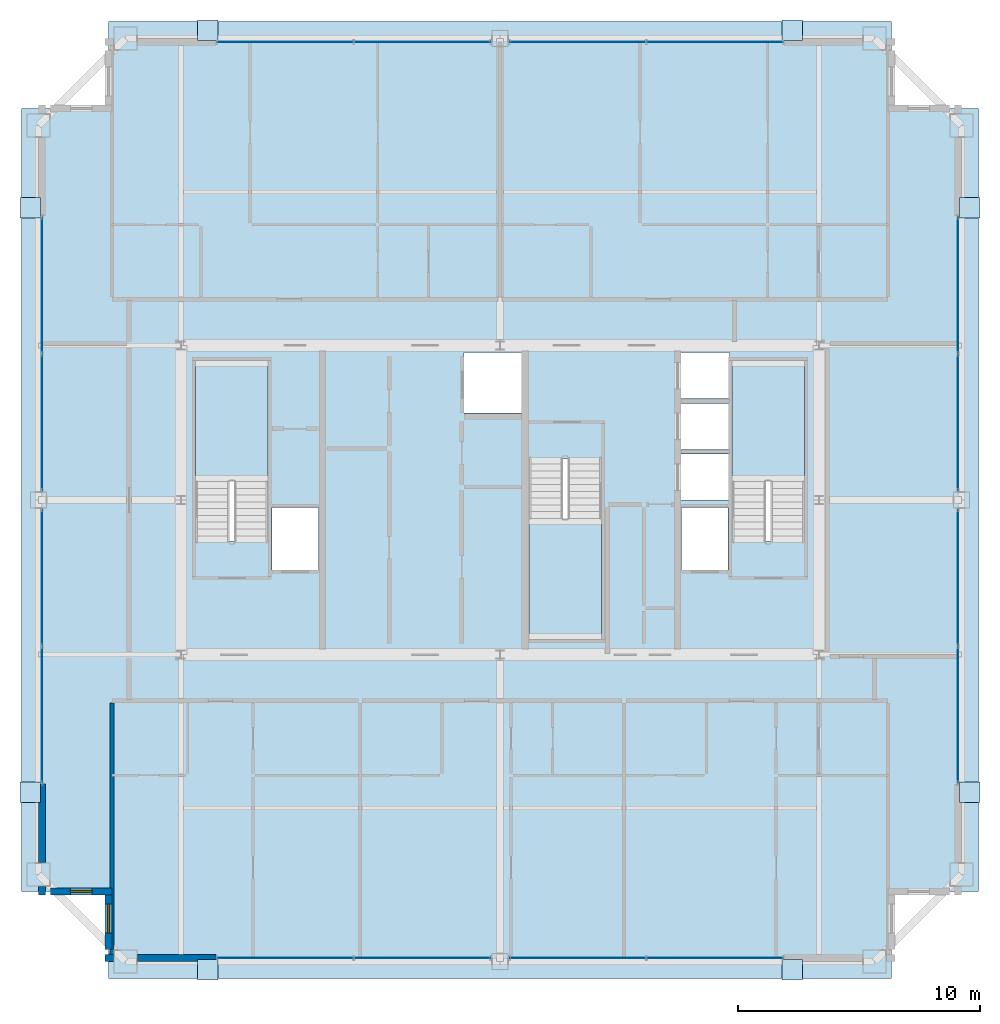
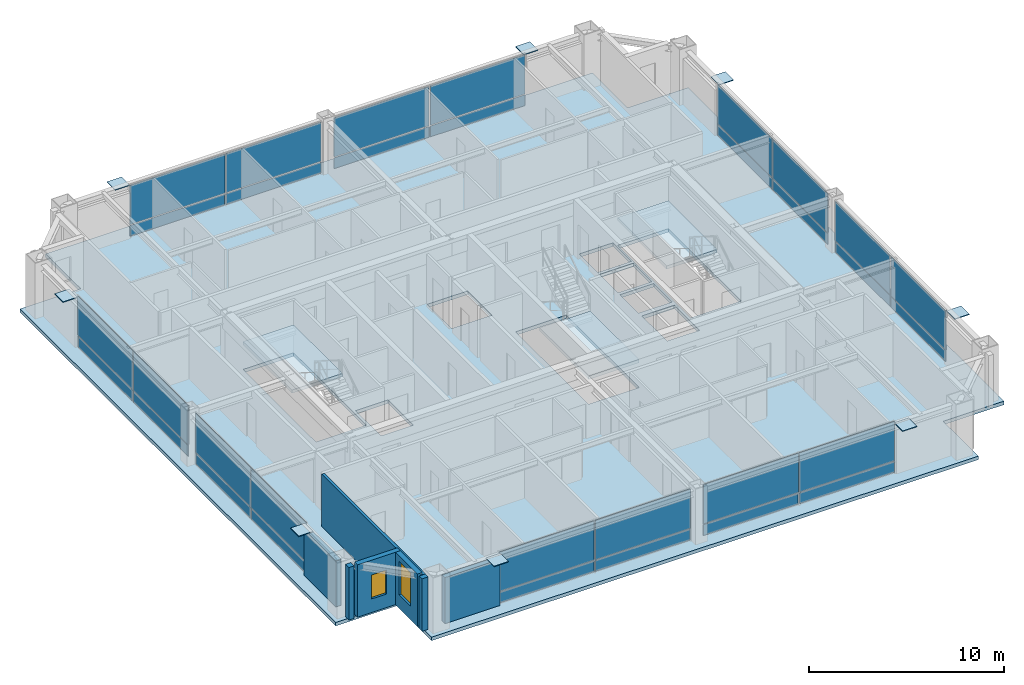
# One storey, part 29 of 35: 40 plates, 7 walls, 4 slabs, 2 windows, 2 openings, 11 elements without a shape of their own.
"""IFC4 building model written with IfcOpenShell, lengths in metres."""

from ifc_helpers import new_model, si_unit, direction, frame, frame_2d, origin, origin_2d, place, context, subcontext, project, spatial, polyline, rectangle, outline, extrude, source, transform, mapped, material, layer, layer_set, type_object, element, fill, aggregate, save


model = new_model("IFC4")

# Units and contexts
model_context = context("Model", 3, precision=1e-05, world=origin(), true_north=direction((0.0, 1.0)))
body_context = subcontext(model_context, "Body", "Model", "MODEL_VIEW")
ifc_project = project(units=[si_unit("LENGTHUNIT", "METRE"), si_unit("AREAUNIT", "SQUARE_METRE"), si_unit("VOLUMEUNIT", "CUBIC_METRE"), si_unit("PLANEANGLEUNIT", "RADIAN"), si_unit("MASSUNIT", "GRAM", prefix="KILO"), si_unit("THERMODYNAMICTEMPERATUREUNIT", "KELVIN"), si_unit("POWERUNIT", "WATT")], contexts=[model_context])

# Site, building, storey
site_placement = place(None, origin())
site = spatial("IfcSite", under=ifc_project, at=site_placement, CompositionType="ELEMENT")
building_placement = place(site_placement, origin())
building = spatial("IfcBuilding", under=site, at=building_placement, Name="Yuzanri Waterfront Tower", CompositionType="ELEMENT")
storey_placement = place(building_placement, frame((0.0, 0.0, 318.199951171875)))
storey = spatial("IfcBuildingStorey", under=building, at=storey_placement, Name="L85", CompositionType="ELEMENT", Elevation=318.199951171875)

# Stair, slab
ifc_material_1 = material(Name="Concrete C40", Category="concrete")
stair_type = type_object("IfcStairType", Name="Concrete C40 Core Dogleg Exit Stair", PredefinedType="HALF_TURN_STAIR", material=ifc_material_1)
stair_1_placement = place(storey_placement, origin())
stair_1 = element("IfcStair", 1, at=stair_1_placement, inside=storey, type_object=stair_type, Name="L85 Smoke-Proof Core Stair ST-01", PredefinedType="HALF_TURN_STAIR")
ifc_material_2 = material(Name="Concrete C40", Category="concrete")
ifc_layer_1 = layer(ifc_material_2, 0.179931640625)
ifc_layer_set_1 = layer_set([ifc_layer_1], Name="Concrete C40")
slab_type_1 = type_object("IfcSlabType", Name="Concrete C40 Stair Half-Landing Slab 180", PredefinedType="LANDING", material=ifc_layer_set_1)
slab_1_placement = place(storey_placement, frame((0.0, 0.0, 1.550048828125)))
slab_1 = element("IfcSlab", 2, at=slab_1_placement, type_object=slab_type_1, Name="ST-01 landing 1", PredefinedType="LANDING", context=body_context, shape_type="SweptSolid", body=[
    extrude(outline(polyline([(27.39990234375, 26.56005859375), (27.39990234375, 31.580078125), (24.39990234375, 31.580078125), (24.39990234375, 26.56005859375), (27.39990234375, 26.56005859375)])), origin(), (0.0, 0.0, 1.0), 0.199951171875),
])
aggregate(stair_1, [slab_1])

stair_2_placement = place(storey_placement, origin())
stair_2 = element("IfcStair", 3, at=stair_2_placement, inside=storey, type_object=stair_type, Name="L85 Smoke-Proof Core Stair ST-02", PredefinedType="HALF_TURN_STAIR")
slab_2_placement = place(storey_placement, frame((0.0, 0.0, 1.550048828125)))
slab_2 = element("IfcSlab", 4, at=slab_2_placement, type_object=slab_type_1, Name="ST-02 landing 1", PredefinedType="LANDING", context=body_context, shape_type="SweptSolid", body=[
    extrude(outline(polyline([(49.60009765625, 26.56005859375), (49.60009765625, 31.580078125), (46.60009765625, 31.580078125), (46.60009765625, 26.56005859375), (49.60009765625, 26.56005859375)])), origin(), (0.0, 0.0, 1.0), 0.199951171875),
])
aggregate(stair_2, [slab_2])

stair_3_placement = place(storey_placement, origin())
stair_3 = element("IfcStair", 5, at=stair_3_placement, inside=storey, type_object=stair_type, Name="L85 Smoke-Proof Core Stair ST-03", PredefinedType="HALF_TURN_STAIR")
slab_3_placement = place(storey_placement, frame((0.0, 0.0, 1.550048828125)))
slab_3 = element("IfcSlab", 6, at=slab_3_placement, type_object=slab_type_1, Name="ST-03 landing 1", PredefinedType="LANDING", context=body_context, shape_type="SweptSolid", body=[
    extrude(outline(polyline([(38.199951171875, 25.0400390625), (38.199951171875, 20.02001953125), (41.199951171875, 20.02001953125), (41.199951171875, 25.0400390625), (38.199951171875, 25.0400390625)])), origin(), (0.0, 0.0, 1.0), 0.199951171875),
])
aggregate(stair_3, [slab_3])

# Slab
ifc_material_3 = material(Name="Concrete C40", Category="concrete")
ifc_layer_2 = layer(ifc_material_3, 0.219970703125)
ifc_layer_set_2 = layer_set([ifc_layer_2], Name="Concrete C40")
slab_type_2 = type_object("IfcSlabType", Name="Concrete C40 Tower Typical Structural Floor Slab 220", PredefinedType="FLOOR", material=ifc_layer_set_2)
slab_4_placement = place(storey_placement, frame((0.0, 0.0, -0.219970703125)))
element("IfcSlab", 7, at=slab_4_placement, inside=storey, type_object=slab_type_2, Name="L85 Main Structural Floor Slab", PredefinedType="FLOOR", context=body_context, shape_type="SweptSolid", body=[
    extrude(outline(polyline([(20.800048828125, 6.0), (53.199951171875, 6.0), (53.199951171875, 9.60009765625), (56.800048828125, 9.60009765625), (56.800048828125, 42.0), (53.199951171875, 42.0), (53.199951171875, 45.60009765625), (20.800048828125, 45.60009765625), (20.800048828125, 42.0), (17.199951171875, 42.0), (17.199951171875, 9.60009765625), (20.800048828125, 9.60009765625), (20.800048828125, 6.0)]), holes=[polyline([(27.39990234375, 24.10009765625), (27.39990234375, 31.580078125), (24.39990234375, 31.580078125), (24.39990234375, 24.10009765625), (27.39990234375, 24.10009765625)]), polyline([(49.60009765625, 24.10009765625), (49.60009765625, 31.580078125), (46.60009765625, 31.580078125), (46.60009765625, 24.10009765625), (49.60009765625, 24.10009765625)]), polyline([(38.199951171875, 27.5), (38.199951171875, 20.02001953125), (41.199951171875, 20.02001953125), (41.199951171875, 27.5), (38.199951171875, 27.5)]), polyline([(27.56005859375, 22.89990234375), (29.47998046875, 22.89990234375), (29.47998046875, 25.5), (27.56005859375, 25.5), (27.56005859375, 22.89990234375)]), polyline([(44.52001953125, 22.89990234375), (46.43994140625, 22.89990234375), (46.43994140625, 25.5), (44.52001953125, 25.5), (44.52001953125, 22.89990234375)]), polyline([(35.5, 29.39990234375), (37.89990234375, 29.39990234375), (37.89990234375, 31.89990234375), (35.5, 31.89990234375), (35.5, 29.39990234375)]), polyline([(44.5, 25.800048828125), (46.5, 25.800048828125), (46.5, 27.699951171875), (44.5, 27.699951171875), (44.5, 25.800048828125)]), polyline([(44.5, 27.89990234375), (46.5, 27.89990234375), (46.5, 29.800048828125), (44.5, 29.800048828125), (44.5, 27.89990234375)]), polyline([(44.5, 30.0), (46.5, 30.0), (46.5, 31.89990234375), (44.5, 31.89990234375), (44.5, 30.0)])]), origin(), (0.0, 0.0, 1.0), 0.219970703125),
])

# Plates
ifc_material_4 = material(Name="Steel Q420GJC", Category="steel")
ifc_layer_3 = layer(ifc_material_4, 0.0400390625)
ifc_layer_set_3 = layer_set([ifc_layer_3], Name="Steel Q420GJC")
plate_type_1 = type_object("IfcPlateType", Name="Steel Q420GJC Mega-Brace Gusset and End-Cap Plate 40", PredefinedType="SHEET", material=ifc_layer_set_3)
shared_shape_1 = source(origin(), body_context, "Body", "SweptSolid", [
    extrude(rectangle(XDim=0.85009765625, YDim=0.85009765625, at=origin_2d()), origin(), (0.0, 0.0, 1.0), 0.0400390625),
])
for number, where, z_axis, x_axis, name in (
    (8, (24.89990234375, 6.360107421875, 3.159912109375), (0.0, 0.0, 1.0), (1.0, 0.0, 0.0), "L85 Mega-Brace Apex Cap Plate S-L"),
    (9, (49.10009765625, 6.360107421875, 3.159912109375), (0.0, 0.0, 1.0), (1.0, 0.0, 0.0), "L85 Mega-Brace Apex Cap Plate S-R"),
    (10, (24.89990234375, 45.239990234375, 3.159912109375), (0.0, 0.0, 1.0), (1.0, 0.0, 0.0), "L85 Mega-Brace Apex Cap Plate N-L"),
    (11, (49.10009765625, 45.239990234375, 3.159912109375), (0.0, 0.0, 1.0), (1.0, 0.0, 0.0), "L85 Mega-Brace Apex Cap Plate N-R"),
    (12, (17.56005859375, 13.699951171875, 3.159912109375), (0.0, 0.0, 1.0), (1.0, 0.0, 0.0), "L85 Mega-Brace Apex Cap Plate W-L"),
    (13, (17.56005859375, 37.89990234375, 3.159912109375), (0.0, 0.0, 1.0), (1.0, 0.0, 0.0), "L85 Mega-Brace Apex Cap Plate W-R"),
    (14, (56.43994140625, 13.699951171875, 3.159912109375), (0.0, 0.0, 1.0), (1.0, 0.0, 0.0), "L85 Mega-Brace Apex Cap Plate E-L"),
    (15, (56.43994140625, 37.89990234375, 3.159912109375), (0.0, 0.0, 1.0), (1.0, 0.0, 0.0), "L85 Mega-Brace Apex Cap Plate E-R"),
):
    element("IfcPlate", number, at=place(storey_placement, frame(where, z_axis=z_axis, x_axis=x_axis)), inside=storey, type_object=plate_type_1, Name=name, PredefinedType="SHEET", context=body_context, shape_type="MappedRepresentation", body=[
        mapped(shared_shape_1, transform((0.0, 0.0, 0.0), scale=1.0)),
    ])

# Curtain wall, plates
ifc_material_5 = material(Name="Anodized Architectural Bronze", Category="metal")
ifc_layer_4 = layer(ifc_material_5, 0.159912109375)
ifc_layer_set_4 = layer_set([ifc_layer_4], Name="Anodized Architectural Bronze")
curtain_wall_type = type_object("IfcCurtainWallType", Name="Anodized Bronze High-Rise Penthouse High-Wind Unitized Curtain Wall 6900", PredefinedType="NOTDEFINED", material=ifc_layer_set_4)
curtain_wall_1_placement = place(storey_placement, origin())
curtain_wall_1 = element("IfcCurtainWall", 16, at=curtain_wall_1_placement, inside=storey, type_object=curtain_wall_type, Name="L85 Curtain Wall CW-L85-SL", PredefinedType="NOTDEFINED")
ifc_material_6 = material(Name="Anodized Architectural Bronze", Category="metal")
ifc_layer_5 = layer(ifc_material_6, 0.028076171875)
ifc_layer_set_5 = layer_set([ifc_layer_5], Name="Anodized Architectural Bronze")
plate_type_2 = type_object("IfcPlateType", Name="Bronze Insulated Spandrel Shadow-Box Panel 28", PredefinedType="CURTAIN_PANEL", material=ifc_layer_set_5)
shared_shape_2 = source(origin(), body_context, "Body", "SweptSolid", [
    extrude(rectangle(XDim=5.6201171875, YDim=0.028076171875, at=origin_2d()), origin(), (0.0, 0.0, 1.0), 0.674072265625),
])
plate_1_placement = place(storey_placement, frame((28.10009765625, 6.85009765625, 0.0498046875), z_axis=(0.0, 0.0, 1.0), x_axis=(1.0, 0.0, 0.0)))
plate_1 = element("IfcPlate", 17, at=plate_1_placement, type_object=plate_type_2, Name="CW-L85-SL Spandrel Panel 01", PredefinedType="CURTAIN_PANEL", context=body_context, shape_type="MappedRepresentation", body=[
    mapped(shared_shape_2, transform((0.0, 0.0, 0.0), scale=1.0)),
])
plate_2_placement = place(storey_placement, frame((33.800048828125, 6.85009765625, 0.0498046875), z_axis=(0.0, 0.0, 1.0), x_axis=(1.0, 0.0, 0.0)))
plate_2 = element("IfcPlate", 18, at=plate_2_placement, type_object=plate_type_2, Name="CW-L85-SL Spandrel Panel 02", PredefinedType="CURTAIN_PANEL", context=body_context, shape_type="MappedRepresentation", body=[
    mapped(shared_shape_2, transform((0.0, 0.0, 0.0), scale=1.0)),
])

curtain_wall_2_placement = place(storey_placement, origin())
curtain_wall_2 = element("IfcCurtainWall", 19, at=curtain_wall_2_placement, inside=storey, type_object=curtain_wall_type, Name="L85 Curtain Wall CW-L85-SR", PredefinedType="NOTDEFINED")
plate_3_placement = place(storey_placement, frame((40.199951171875, 6.85009765625, 0.0498046875), z_axis=(0.0, 0.0, 1.0), x_axis=(1.0, 0.0, 0.0)))
plate_3 = element("IfcPlate", 20, at=plate_3_placement, type_object=plate_type_2, Name="CW-L85-SR Spandrel Panel 01", PredefinedType="CURTAIN_PANEL", context=body_context, shape_type="MappedRepresentation", body=[
    mapped(shared_shape_2, transform((0.0, 0.0, 0.0), scale=1.0)),
])
plate_4_placement = place(storey_placement, frame((45.89990234375, 6.85009765625, 0.0498046875), z_axis=(0.0, 0.0, 1.0), x_axis=(1.0, 0.0, 0.0)))
plate_4 = element("IfcPlate", 21, at=plate_4_placement, type_object=plate_type_2, Name="CW-L85-SR Spandrel Panel 02", PredefinedType="CURTAIN_PANEL", context=body_context, shape_type="MappedRepresentation", body=[
    mapped(shared_shape_2, transform((0.0, 0.0, 0.0), scale=1.0)),
])

curtain_wall_3_placement = place(storey_placement, origin())
curtain_wall_3 = element("IfcCurtainWall", 22, at=curtain_wall_3_placement, inside=storey, type_object=curtain_wall_type, Name="L85 Curtain Wall CW-L85-NL", PredefinedType="NOTDEFINED")
plate_5_placement = place(storey_placement, frame((28.10009765625, 44.75, 0.0498046875), z_axis=(0.0, 0.0, 1.0), x_axis=(1.0, 0.0, 0.0)))
plate_5 = element("IfcPlate", 23, at=plate_5_placement, type_object=plate_type_2, Name="CW-L85-NL Spandrel Panel 01", PredefinedType="CURTAIN_PANEL", context=body_context, shape_type="MappedRepresentation", body=[
    mapped(shared_shape_2, transform((0.0, 0.0, 0.0), scale=1.0)),
])
plate_6_placement = place(storey_placement, frame((33.800048828125, 44.75, 0.0498046875), z_axis=(0.0, 0.0, 1.0), x_axis=(1.0, 0.0, 0.0)))
plate_6 = element("IfcPlate", 24, at=plate_6_placement, type_object=plate_type_2, Name="CW-L85-NL Spandrel Panel 02", PredefinedType="CURTAIN_PANEL", context=body_context, shape_type="MappedRepresentation", body=[
    mapped(shared_shape_2, transform((0.0, 0.0, 0.0), scale=1.0)),
])

curtain_wall_4_placement = place(storey_placement, origin())
curtain_wall_4 = element("IfcCurtainWall", 25, at=curtain_wall_4_placement, inside=storey, type_object=curtain_wall_type, Name="L85 Curtain Wall CW-L85-NR", PredefinedType="NOTDEFINED")
plate_7_placement = place(storey_placement, frame((40.199951171875, 44.75, 0.0498046875), z_axis=(0.0, 0.0, 1.0), x_axis=(1.0, 0.0, 0.0)))
plate_7 = element("IfcPlate", 26, at=plate_7_placement, type_object=plate_type_2, Name="CW-L85-NR Spandrel Panel 01", PredefinedType="CURTAIN_PANEL", context=body_context, shape_type="MappedRepresentation", body=[
    mapped(shared_shape_2, transform((0.0, 0.0, 0.0), scale=1.0)),
])
plate_8_placement = place(storey_placement, frame((45.89990234375, 44.75, 0.0498046875), z_axis=(0.0, 0.0, 1.0), x_axis=(1.0, 0.0, 0.0)))
plate_8 = element("IfcPlate", 27, at=plate_8_placement, type_object=plate_type_2, Name="CW-L85-NR Spandrel Panel 02", PredefinedType="CURTAIN_PANEL", context=body_context, shape_type="MappedRepresentation", body=[
    mapped(shared_shape_2, transform((0.0, 0.0, 0.0), scale=1.0)),
])

curtain_wall_5_placement = place(storey_placement, origin())
curtain_wall_5 = element("IfcCurtainWall", 28, at=curtain_wall_5_placement, inside=storey, type_object=curtain_wall_type, Name="L85 Curtain Wall CW-L85-WL", PredefinedType="NOTDEFINED")
plate_9_placement = place(storey_placement, frame((18.050048828125, 16.89990234375, 0.0498046875), z_axis=(0.0, 0.0, 1.0), x_axis=(0.0, 1.0, 0.0)))
plate_9 = element("IfcPlate", 29, at=plate_9_placement, type_object=plate_type_2, Name="CW-L85-WL Spandrel Panel 01", PredefinedType="CURTAIN_PANEL", context=body_context, shape_type="MappedRepresentation", body=[
    mapped(shared_shape_2, transform((0.0, 0.0, 0.0), scale=1.0)),
])
plate_10_placement = place(storey_placement, frame((18.050048828125, 22.60009765625, 0.0498046875), z_axis=(0.0, 0.0, 1.0), x_axis=(0.0, 1.0, 0.0)))
plate_10 = element("IfcPlate", 30, at=plate_10_placement, type_object=plate_type_2, Name="CW-L85-WL Spandrel Panel 02", PredefinedType="CURTAIN_PANEL", context=body_context, shape_type="MappedRepresentation", body=[
    mapped(shared_shape_2, transform((0.0, 0.0, 0.0), scale=1.0)),
])

curtain_wall_6_placement = place(storey_placement, origin())
curtain_wall_6 = element("IfcCurtainWall", 31, at=curtain_wall_6_placement, inside=storey, type_object=curtain_wall_type, Name="L85 Curtain Wall CW-L85-WR", PredefinedType="NOTDEFINED")
plate_11_placement = place(storey_placement, frame((18.050048828125, 29.0, 0.0498046875), z_axis=(0.0, 0.0, 1.0), x_axis=(0.0, 1.0, 0.0)))
plate_11 = element("IfcPlate", 32, at=plate_11_placement, type_object=plate_type_2, Name="CW-L85-WR Spandrel Panel 01", PredefinedType="CURTAIN_PANEL", context=body_context, shape_type="MappedRepresentation", body=[
    mapped(shared_shape_2, transform((0.0, 0.0, 0.0), scale=1.0)),
])
plate_12_placement = place(storey_placement, frame((18.050048828125, 34.699951171875, 0.0498046875), z_axis=(0.0, 0.0, 1.0), x_axis=(0.0, 1.0, 0.0)))
plate_12 = element("IfcPlate", 33, at=plate_12_placement, type_object=plate_type_2, Name="CW-L85-WR Spandrel Panel 02", PredefinedType="CURTAIN_PANEL", context=body_context, shape_type="MappedRepresentation", body=[
    mapped(shared_shape_2, transform((0.0, 0.0, 0.0), scale=1.0)),
])

curtain_wall_7_placement = place(storey_placement, origin())
curtain_wall_7 = element("IfcCurtainWall", 34, at=curtain_wall_7_placement, inside=storey, type_object=curtain_wall_type, Name="L85 Curtain Wall CW-L85-EL", PredefinedType="NOTDEFINED")
plate_13_placement = place(storey_placement, frame((55.949951171875, 16.89990234375, 0.0498046875), z_axis=(0.0, 0.0, 1.0), x_axis=(0.0, 1.0, 0.0)))
plate_13 = element("IfcPlate", 35, at=plate_13_placement, type_object=plate_type_2, Name="CW-L85-EL Spandrel Panel 01", PredefinedType="CURTAIN_PANEL", context=body_context, shape_type="MappedRepresentation", body=[
    mapped(shared_shape_2, transform((0.0, 0.0, 0.0), scale=1.0)),
])
plate_14_placement = place(storey_placement, frame((55.949951171875, 22.60009765625, 0.0498046875), z_axis=(0.0, 0.0, 1.0), x_axis=(0.0, 1.0, 0.0)))
plate_14 = element("IfcPlate", 36, at=plate_14_placement, type_object=plate_type_2, Name="CW-L85-EL Spandrel Panel 02", PredefinedType="CURTAIN_PANEL", context=body_context, shape_type="MappedRepresentation", body=[
    mapped(shared_shape_2, transform((0.0, 0.0, 0.0), scale=1.0)),
])

curtain_wall_8_placement = place(storey_placement, origin())
curtain_wall_8 = element("IfcCurtainWall", 37, at=curtain_wall_8_placement, inside=storey, type_object=curtain_wall_type, Name="L85 Curtain Wall CW-L85-ER", PredefinedType="NOTDEFINED")
plate_15_placement = place(storey_placement, frame((55.949951171875, 29.0, 0.0498046875), z_axis=(0.0, 0.0, 1.0), x_axis=(0.0, 1.0, 0.0)))
plate_15 = element("IfcPlate", 38, at=plate_15_placement, type_object=plate_type_2, Name="CW-L85-ER Spandrel Panel 01", PredefinedType="CURTAIN_PANEL", context=body_context, shape_type="MappedRepresentation", body=[
    mapped(shared_shape_2, transform((0.0, 0.0, 0.0), scale=1.0)),
])
plate_16_placement = place(storey_placement, frame((55.949951171875, 34.699951171875, 0.0498046875), z_axis=(0.0, 0.0, 1.0), x_axis=(0.0, 1.0, 0.0)))
plate_16 = element("IfcPlate", 39, at=plate_16_placement, type_object=plate_type_2, Name="CW-L85-ER Spandrel Panel 02", PredefinedType="CURTAIN_PANEL", context=body_context, shape_type="MappedRepresentation", body=[
    mapped(shared_shape_2, transform((0.0, 0.0, 0.0), scale=1.0)),
])

# Plate
ifc_material_7 = material(Name="Triple Low-E Laminated Insulated Glass", Category="glass")
ifc_layer_6 = layer(ifc_material_7, 0.0439453125)
ifc_layer_set_6 = layer_set([ifc_layer_6], Name="Triple Low-E Laminated Insulated Glass")
plate_type_3 = type_object("IfcPlateType", Name="Triple Glazed Acoustic Vision Glass Panel 44", PredefinedType="CURTAIN_PANEL", material=ifc_layer_set_6)
shared_shape_3 = source(origin(), body_context, "Body", "SweptSolid", [
    extrude(rectangle(XDim=5.6201171875, YDim=0.0439453125, at=origin_2d()), origin(), (0.0, 0.0, 1.0), 2.446044921875),
])
plate_17_placement = place(storey_placement, frame((28.10009765625, 6.85009765625, 0.7841796875), z_axis=(0.0, 0.0, 1.0), x_axis=(1.0, 0.0, 0.0)))
plate_17 = element("IfcPlate", 40, at=plate_17_placement, type_object=plate_type_3, Name="CW-L85-SL Vision Glass Panel 01", PredefinedType="CURTAIN_PANEL", context=body_context, shape_type="MappedRepresentation", body=[
    mapped(shared_shape_3, transform((0.0, 0.0, 0.0), scale=1.0)),
])

plate_18_placement = place(storey_placement, frame((33.800048828125, 6.85009765625, 0.7841796875), z_axis=(0.0, 0.0, 1.0), x_axis=(1.0, 0.0, 0.0)))
plate_18 = element("IfcPlate", 41, at=plate_18_placement, type_object=plate_type_3, Name="CW-L85-SL Vision Glass Panel 02", PredefinedType="CURTAIN_PANEL", context=body_context, shape_type="MappedRepresentation", body=[
    mapped(shared_shape_3, transform((0.0, 0.0, 0.0), scale=1.0)),
])

aggregate(curtain_wall_1, [plate_1, plate_17, plate_2, plate_18])

plate_19_placement = place(storey_placement, frame((40.199951171875, 6.85009765625, 0.7841796875), z_axis=(0.0, 0.0, 1.0), x_axis=(1.0, 0.0, 0.0)))
plate_19 = element("IfcPlate", 42, at=plate_19_placement, type_object=plate_type_3, Name="CW-L85-SR Vision Glass Panel 01", PredefinedType="CURTAIN_PANEL", context=body_context, shape_type="MappedRepresentation", body=[
    mapped(shared_shape_3, transform((0.0, 0.0, 0.0), scale=1.0)),
])

plate_20_placement = place(storey_placement, frame((45.89990234375, 6.85009765625, 0.7841796875), z_axis=(0.0, 0.0, 1.0), x_axis=(1.0, 0.0, 0.0)))
plate_20 = element("IfcPlate", 43, at=plate_20_placement, type_object=plate_type_3, Name="CW-L85-SR Vision Glass Panel 02", PredefinedType="CURTAIN_PANEL", context=body_context, shape_type="MappedRepresentation", body=[
    mapped(shared_shape_3, transform((0.0, 0.0, 0.0), scale=1.0)),
])

aggregate(curtain_wall_2, [plate_3, plate_19, plate_4, plate_20])

plate_21_placement = place(storey_placement, frame((28.10009765625, 44.75, 0.7841796875), z_axis=(0.0, 0.0, 1.0), x_axis=(1.0, 0.0, 0.0)))
plate_21 = element("IfcPlate", 44, at=plate_21_placement, type_object=plate_type_3, Name="CW-L85-NL Vision Glass Panel 01", PredefinedType="CURTAIN_PANEL", context=body_context, shape_type="MappedRepresentation", body=[
    mapped(shared_shape_3, transform((0.0, 0.0, 0.0), scale=1.0)),
])

plate_22_placement = place(storey_placement, frame((33.800048828125, 44.75, 0.7841796875), z_axis=(0.0, 0.0, 1.0), x_axis=(1.0, 0.0, 0.0)))
plate_22 = element("IfcPlate", 45, at=plate_22_placement, type_object=plate_type_3, Name="CW-L85-NL Vision Glass Panel 02", PredefinedType="CURTAIN_PANEL", context=body_context, shape_type="MappedRepresentation", body=[
    mapped(shared_shape_3, transform((0.0, 0.0, 0.0), scale=1.0)),
])

aggregate(curtain_wall_3, [plate_5, plate_21, plate_6, plate_22])

plate_23_placement = place(storey_placement, frame((40.199951171875, 44.75, 0.7841796875), z_axis=(0.0, 0.0, 1.0), x_axis=(1.0, 0.0, 0.0)))
plate_23 = element("IfcPlate", 46, at=plate_23_placement, type_object=plate_type_3, Name="CW-L85-NR Vision Glass Panel 01", PredefinedType="CURTAIN_PANEL", context=body_context, shape_type="MappedRepresentation", body=[
    mapped(shared_shape_3, transform((0.0, 0.0, 0.0), scale=1.0)),
])

plate_24_placement = place(storey_placement, frame((45.89990234375, 44.75, 0.7841796875), z_axis=(0.0, 0.0, 1.0), x_axis=(1.0, 0.0, 0.0)))
plate_24 = element("IfcPlate", 47, at=plate_24_placement, type_object=plate_type_3, Name="CW-L85-NR Vision Glass Panel 02", PredefinedType="CURTAIN_PANEL", context=body_context, shape_type="MappedRepresentation", body=[
    mapped(shared_shape_3, transform((0.0, 0.0, 0.0), scale=1.0)),
])

aggregate(curtain_wall_4, [plate_7, plate_23, plate_8, plate_24])

plate_25_placement = place(storey_placement, frame((18.050048828125, 16.89990234375, 0.7841796875), z_axis=(0.0, 0.0, 1.0), x_axis=(0.0, 1.0, 0.0)))
plate_25 = element("IfcPlate", 48, at=plate_25_placement, type_object=plate_type_3, Name="CW-L85-WL Vision Glass Panel 01", PredefinedType="CURTAIN_PANEL", context=body_context, shape_type="MappedRepresentation", body=[
    mapped(shared_shape_3, transform((0.0, 0.0, 0.0), scale=1.0)),
])

plate_26_placement = place(storey_placement, frame((18.050048828125, 22.60009765625, 0.7841796875), z_axis=(0.0, 0.0, 1.0), x_axis=(0.0, 1.0, 0.0)))
plate_26 = element("IfcPlate", 49, at=plate_26_placement, type_object=plate_type_3, Name="CW-L85-WL Vision Glass Panel 02", PredefinedType="CURTAIN_PANEL", context=body_context, shape_type="MappedRepresentation", body=[
    mapped(shared_shape_3, transform((0.0, 0.0, 0.0), scale=1.0)),
])

aggregate(curtain_wall_5, [plate_9, plate_25, plate_10, plate_26])

plate_27_placement = place(storey_placement, frame((18.050048828125, 29.0, 0.7841796875), z_axis=(0.0, 0.0, 1.0), x_axis=(0.0, 1.0, 0.0)))
plate_27 = element("IfcPlate", 50, at=plate_27_placement, type_object=plate_type_3, Name="CW-L85-WR Vision Glass Panel 01", PredefinedType="CURTAIN_PANEL", context=body_context, shape_type="MappedRepresentation", body=[
    mapped(shared_shape_3, transform((0.0, 0.0, 0.0), scale=1.0)),
])

plate_28_placement = place(storey_placement, frame((18.050048828125, 34.699951171875, 0.7841796875), z_axis=(0.0, 0.0, 1.0), x_axis=(0.0, 1.0, 0.0)))
plate_28 = element("IfcPlate", 51, at=plate_28_placement, type_object=plate_type_3, Name="CW-L85-WR Vision Glass Panel 02", PredefinedType="CURTAIN_PANEL", context=body_context, shape_type="MappedRepresentation", body=[
    mapped(shared_shape_3, transform((0.0, 0.0, 0.0), scale=1.0)),
])

aggregate(curtain_wall_6, [plate_11, plate_27, plate_12, plate_28])

plate_29_placement = place(storey_placement, frame((55.949951171875, 16.89990234375, 0.7841796875), z_axis=(0.0, 0.0, 1.0), x_axis=(0.0, 1.0, 0.0)))
plate_29 = element("IfcPlate", 52, at=plate_29_placement, type_object=plate_type_3, Name="CW-L85-EL Vision Glass Panel 01", PredefinedType="CURTAIN_PANEL", context=body_context, shape_type="MappedRepresentation", body=[
    mapped(shared_shape_3, transform((0.0, 0.0, 0.0), scale=1.0)),
])

plate_30_placement = place(storey_placement, frame((55.949951171875, 22.60009765625, 0.7841796875), z_axis=(0.0, 0.0, 1.0), x_axis=(0.0, 1.0, 0.0)))
plate_30 = element("IfcPlate", 53, at=plate_30_placement, type_object=plate_type_3, Name="CW-L85-EL Vision Glass Panel 02", PredefinedType="CURTAIN_PANEL", context=body_context, shape_type="MappedRepresentation", body=[
    mapped(shared_shape_3, transform((0.0, 0.0, 0.0), scale=1.0)),
])

aggregate(curtain_wall_7, [plate_13, plate_29, plate_14, plate_30])

plate_31_placement = place(storey_placement, frame((55.949951171875, 29.0, 0.7841796875), z_axis=(0.0, 0.0, 1.0), x_axis=(0.0, 1.0, 0.0)))
plate_31 = element("IfcPlate", 54, at=plate_31_placement, type_object=plate_type_3, Name="CW-L85-ER Vision Glass Panel 01", PredefinedType="CURTAIN_PANEL", context=body_context, shape_type="MappedRepresentation", body=[
    mapped(shared_shape_3, transform((0.0, 0.0, 0.0), scale=1.0)),
])

plate_32_placement = place(storey_placement, frame((55.949951171875, 34.699951171875, 0.7841796875), z_axis=(0.0, 0.0, 1.0), x_axis=(0.0, 1.0, 0.0)))
plate_32 = element("IfcPlate", 55, at=plate_32_placement, type_object=plate_type_3, Name="CW-L85-ER Vision Glass Panel 02", PredefinedType="CURTAIN_PANEL", context=body_context, shape_type="MappedRepresentation", body=[
    mapped(shared_shape_3, transform((0.0, 0.0, 0.0), scale=1.0)),
])

aggregate(curtain_wall_8, [plate_15, plate_31, plate_16, plate_32])

# Wall, opening, window
ifc_material_8 = material(Name="Honed Chongqing Dark Basalt Stone", Category="masonry")
ifc_layer_7 = layer(ifc_material_8, 0.300048828125)
ifc_layer_set_7 = layer_set([ifc_layer_7], Name="Honed Chongqing Dark Basalt Stone")
wall_type_1 = type_object("IfcWallType", Name="Bronze Rainscreen Insulated Spandrel Portal Wall 300", PredefinedType="SOLIDWALL", material=ifc_layer_set_7)
wall_1_placement = place(storey_placement, frame((18.39990234375, 9.60009765625, 0.0), z_axis=(0.0, 0.0, 1.0), x_axis=(1.0, 0.0, 0.0)))
wall_1 = element("IfcWall", 56, at=wall_1_placement, inside=storey, type_object=wall_type_1, Name="L85 Notched Corner Masonry Wall SW-X", PredefinedType="SOLIDWALL", context=body_context, shape_type="SweptSolid", body=[
    extrude(rectangle(XDim=2.550048828125, YDim=0.300048828125, at=frame_2d((1.27490234375, 0.0))), origin(), (0.0, 0.0, 1.0), 3.280029296875),
])
opening_1_placement = place(wall_1_placement, frame((0.824951171875, 0.0, 0.85009765625)))
opening_1 = element("IfcOpeningElement", 57, at=opening_1_placement, cuts=wall_1, Name="Opening WN-05", PredefinedType="OPENING", context=body_context, shape_type="SweptSolid", body=[
    extrude(rectangle(XDim=0.89990234375, YDim=1.5, at=frame_2d((0.449951171875, 0.75))), frame((0.0, 0.1650390625, 0.0), z_axis=(0.0, -1.0, 0.0), x_axis=(1.0, 0.0, 0.0)), (0.0, 0.0, 1.0), 0.329833984375),
])
ifc_material_9 = material(Name="Double-Silver Low-E Insulated Glass", Category="glass")
window_type_1 = type_object("IfcWindowType", Name="Anodized Bronze Service and Stairwell Smoke-Vent Window 900x1500", PartitioningType="SINGLE_PANEL", PredefinedType="WINDOW", material=ifc_material_9)
shared_shape_4 = source(origin(), body_context, "Body", "SweptSolid", [
    extrude(rectangle(XDim=0.89990234375, YDim=1.5, at=frame_2d((0.449951171875, 0.75))), frame((0.0, 0.030029296875, 0.0), z_axis=(0.0, -1.0, 0.0), x_axis=(1.0, 0.0, 0.0)), (0.0, 0.0, 1.0), 0.06005859375),
])
window_1_placement = place(opening_1_placement, origin())
window_1 = element("IfcWindow", 58, at=window_1_placement, inside=storey, type_object=window_type_1, Name="L85 Notched Corner Window SW-X", OverallHeight=1.5, OverallWidth=0.89990234375, PartitioningType="SINGLE_PANEL", PredefinedType="WINDOW", context=body_context, shape_type="MappedRepresentation", body=[
    mapped(shared_shape_4, transform((0.0, 0.0, 0.0), scale=1.0)),
])
fill(opening_1, window_1)

wall_2_placement = place(storey_placement, frame((20.800048828125, 9.75, 0.0), z_axis=(0.0, 0.0, 1.0), x_axis=(0.0, -1.0, 0.0)))
wall_2 = element("IfcWall", 59, at=wall_2_placement, inside=storey, type_object=wall_type_1, Name="L85 Notched Corner Masonry Wall SW-Y", PredefinedType="SOLIDWALL", context=body_context, shape_type="SweptSolid", body=[
    extrude(rectangle(XDim=2.550048828125, YDim=0.300048828125, at=frame_2d((1.27490234375, 0.0))), origin(), (0.0, 0.0, 1.0), 3.280029296875),
])
opening_2_placement = place(wall_2_placement, frame((0.675048828125, 0.0, 0.85009765625)))
opening_2 = element("IfcOpeningElement", 60, at=opening_2_placement, cuts=wall_2, Name="Opening WN-02", PredefinedType="OPENING", context=body_context, shape_type="SweptSolid", body=[
    extrude(rectangle(XDim=1.199951171875, YDim=2.10009765625, at=frame_2d((0.60009765625, 1.050048828125))), frame((0.0, 0.1650390625, 0.0), z_axis=(0.0, -1.0, 0.0), x_axis=(1.0, 0.0, 0.0)), (0.0, 0.0, 1.0), 0.329833984375),
])
ifc_material_10 = material(Name="Double-Silver Low-E Insulated Glass", Category="glass")
window_type_2 = type_object("IfcWindowType", Name="Anodized Bronze Notched Corner Deep-Set Slot Window 1200x2100", PartitioningType="SINGLE_PANEL", PredefinedType="WINDOW", material=ifc_material_10)
shared_shape_5 = source(origin(), body_context, "Body", "SweptSolid", [
    extrude(rectangle(XDim=1.199951171875, YDim=2.10009765625, at=frame_2d((0.60009765625, 1.050048828125))), frame((0.0, 0.030029296875, 0.0), z_axis=(0.0, -1.0, 0.0), x_axis=(1.0, 0.0, 0.0)), (0.0, 0.0, 1.0), 0.06005859375),
])
window_2_placement = place(opening_2_placement, origin())
window_2 = element("IfcWindow", 61, at=window_2_placement, inside=storey, type_object=window_type_2, Name="L85 Notched Corner Window SW-Y", OverallHeight=2.10009765625, OverallWidth=1.199951171875, PartitioningType="SINGLE_PANEL", PredefinedType="WINDOW", context=body_context, shape_type="MappedRepresentation", body=[
    mapped(shared_shape_5, transform((0.0, 0.0, 0.0), scale=1.0)),
])
fill(opening_2, window_2)

# Walls
shared_shape_6 = source(origin(), body_context, "Body", "SweptSolid", [
    extrude(rectangle(XDim=3.25, YDim=0.300048828125, at=frame_2d((1.625, 0.0))), origin(), (0.0, 0.0, 1.0), 2.885009765625),
])
for number, where, z_axis, x_axis, name in (
    (62, (22.0, 6.85009765625, 0.0), (0.0, 0.0, 1.0), (1.0, 0.0, 0.0), "L85 S Left Braced Masonry Shoulder"),
    (63, (18.050048828125, 10.800048828125, 0.0), (0.0, 0.0, 1.0), (0.0, 1.0, 0.0), "L85 W Left Braced Masonry Shoulder"),
):
    element("IfcWall", number, at=place(storey_placement, frame(where, z_axis=z_axis, x_axis=x_axis)), inside=storey, type_object=wall_type_1, Name=name, PredefinedType="SOLIDWALL", context=body_context, shape_type="MappedRepresentation", body=[
        mapped(shared_shape_6, transform((0.0, 0.0, 0.0), scale=1.0)),
    ])
shared_shape_7 = source(origin(), body_context, "Body", "SweptSolid", [
    extrude(rectangle(XDim=0.35009765625, YDim=0.300048828125, at=frame_2d((0.175048828125, 0.0))), origin(), (0.0, 0.0, 1.0), 3.280029296875),
])
for number, where, z_axis, x_axis, name in (
    (64, (20.64990234375, 6.85009765625, 0.0), (0.0, 0.0, 1.0), (1.0, 0.0, 0.0), "L85 Corner Column Shoulder Return CSW"),
    (65, (18.050048828125, 9.449951171875, 0.0), (0.0, 0.0, 1.0), (0.0, 1.0, 0.0), "L85 Corner Column Shoulder Return CWS"),
):
    element("IfcWall", number, at=place(storey_placement, frame(where, z_axis=z_axis, x_axis=x_axis)), inside=storey, type_object=wall_type_1, Name=name, PredefinedType="SOLIDWALL", context=body_context, shape_type="MappedRepresentation", body=[
        mapped(shared_shape_7, transform((0.0, 0.0, 0.0), scale=1.0)),
    ])
ifc_material_11 = material(Name="Gypsum Fireboard Acoustic Stud Wall", Category="gypsum")
ifc_layer_8 = layer(ifc_material_11, 0.159912109375)
ifc_layer_set_8 = layer_set([ifc_layer_8], Name="Gypsum Fireboard Acoustic Stud Wall")
wall_type_2 = type_object("IfcWallType", Name="Acoustic Suite Demising Partition 160", PredefinedType="PARTITIONING", material=ifc_layer_set_8)
shared_shape_8 = source(origin(), body_context, "Body", "SweptSolid", [
    extrude(rectangle(XDim=10.389892578125, YDim=0.159912109375, at=frame_2d((5.19482421875, 0.0))), origin(), (0.0, 0.0, 1.0), 3.280029296875),
])
wall_3_placement = place(storey_placement, frame((20.949951171875, 7.0, 0.0), z_axis=(0.0, 0.0, 1.0), x_axis=(0.0, 1.0, 0.0)))
element("IfcWall", 66, at=wall_3_placement, inside=storey, type_object=wall_type_2, Name="L85 South Band West End Wall", PredefinedType="PARTITIONING", context=body_context, shape_type="MappedRepresentation", body=[
    mapped(shared_shape_8, transform((0.0, 0.0, 0.0), scale=1.0)),
])

save(model, "model.ifc")
